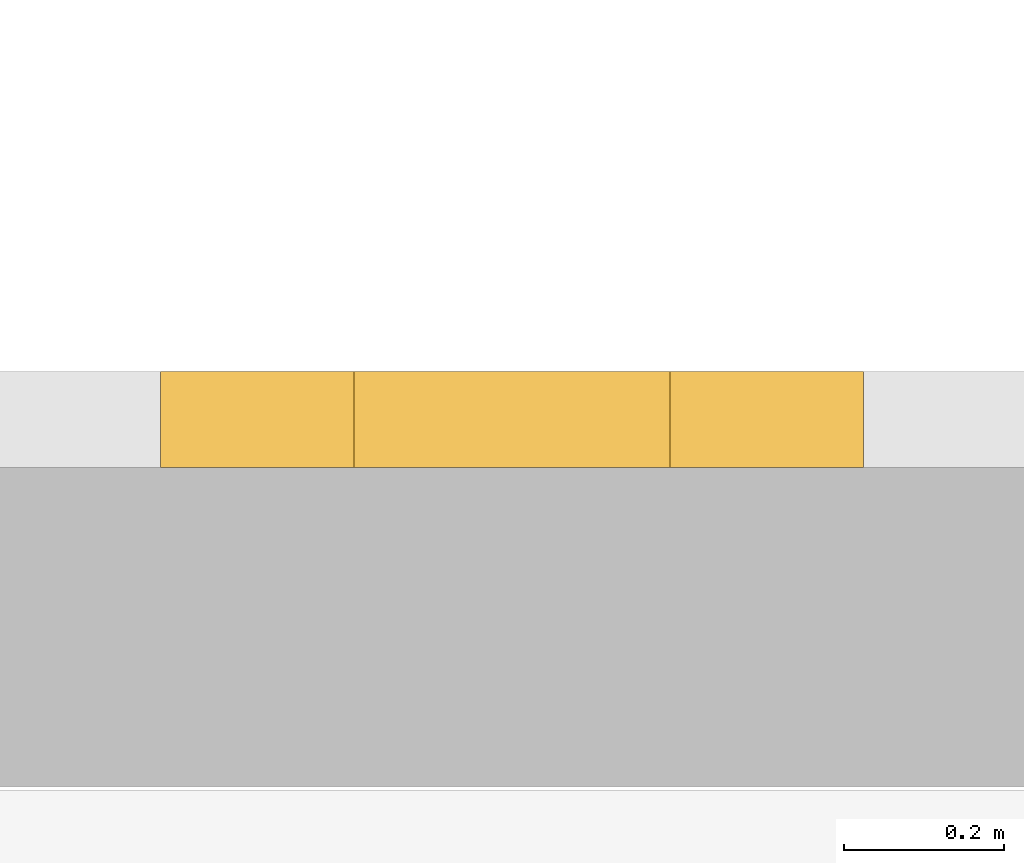
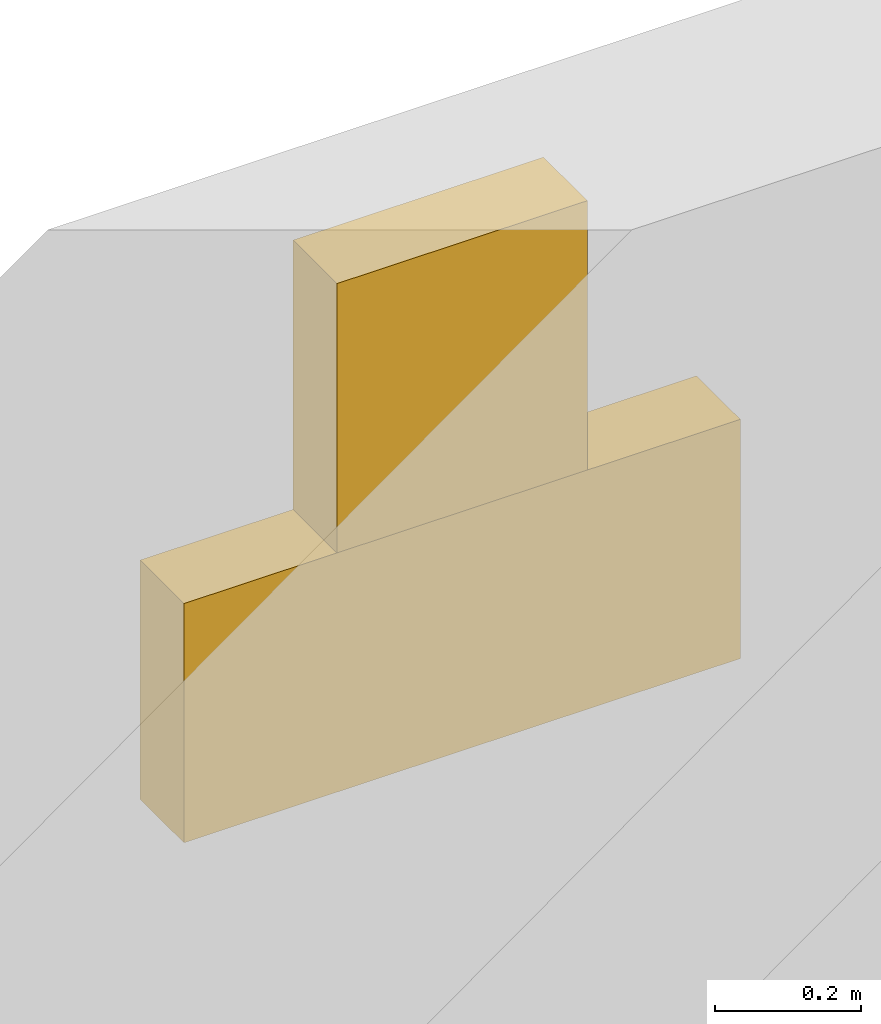
# One storey, part 14 of 14: 2 coverings.
"""IFC4 building model written with IfcOpenShell, lengths in metres."""

from ifc_helpers import new_model, si_unit, direction, frame, origin, place, context, subcontext, project, spatial, polyline, outline, extrude, material, type_object, element, save


model = new_model("IFC4")

# Units and contexts
model_context = context("Model", 3, precision=1e-05, world=origin(), true_north=direction((0.0, 1.0)))
body_context = subcontext(model_context, "Body", "Model", "MODEL_VIEW")
ifc_project = project(units=[si_unit("LENGTHUNIT", "METRE"), si_unit("AREAUNIT", "SQUARE_METRE"), si_unit("VOLUMEUNIT", "CUBIC_METRE"), si_unit("PLANEANGLEUNIT", "RADIAN"), si_unit("MASSUNIT", "GRAM", prefix="KILO")], contexts=[model_context])

# Site, building, storey
site_placement = place(None, origin())
site = spatial("IfcSite", under=ifc_project, at=site_placement, CompositionType="ELEMENT")
building_placement = place(site_placement, origin())
building = spatial("IfcBuilding", under=site, at=building_placement, Name="Vermilion Ogive Tower", CompositionType="ELEMENT")
storey_placement = place(building_placement, frame((0.0, 0.0, 284.85009765625)))
storey = spatial("IfcBuildingStorey", under=building, at=storey_placement, Name="L74", CompositionType="ELEMENT", Elevation=284.85009765625)

# Coverings
ifc_material = material(Name="Stone cladding", Category="masonry")
covering_type = type_object("IfcCoveringType", Name="Lancet panel", PredefinedType="CLADDING", material=ifc_material)
covering_1_placement = place(storey_placement, frame((0.0, 0.0, 2.89990234375)))
element("IfcCovering", 1, at=covering_1_placement, inside=storey, type_object=covering_type, Name="Lancet panel L74N4D", PredefinedType="CLADDING", context=body_context, shape_type="SweptSolid", body=[
    extrude(outline(polyline([(5.860107421875, 21.75), (6.739990234375, 21.75), (6.739990234375, 21.8701171875), (5.860107421875, 21.8701171875), (5.860107421875, 21.75)])), origin(), (0.0, 0.0, 1.0), 0.39990234375),
])
covering_2_placement = place(storey_placement, frame((0.0, 0.0, 3.2998046875)))
element("IfcCovering", 2, at=covering_2_placement, inside=storey, type_object=covering_type, Name="Lancet panel L74N4E", PredefinedType="CLADDING", context=body_context, shape_type="SweptSolid", body=[
    extrude(outline(polyline([(6.10205078125, 21.75), (6.498046875, 21.75), (6.498046875, 21.8701171875), (6.10205078125, 21.8701171875), (6.10205078125, 21.75)])), origin(), (0.0, 0.0, 1.0), 0.4501953125),
])

save(model, "model.ifc")
